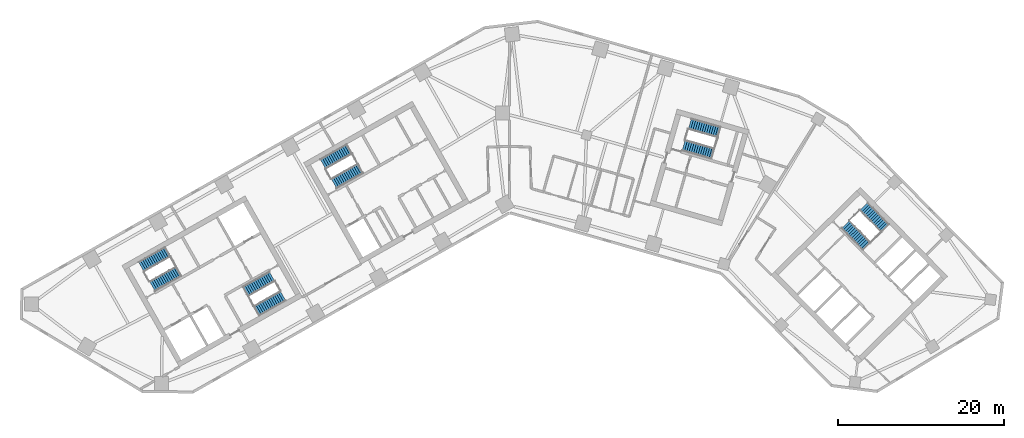
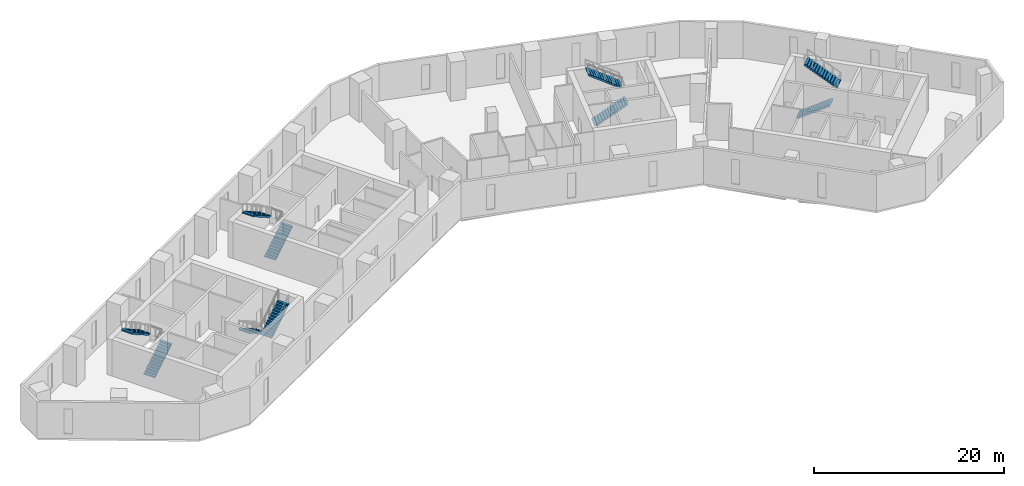
# One storey, part 8 of 10: 10 stair flights, 5 elements without a shape of their own.
"""IFC4 building model written with IfcOpenShell, lengths in metres."""

from ifc_helpers import new_model, si_unit, direction, frame, origin, place, context, subcontext, project, spatial, polyline, outline, extrude, material, type_object, element, aggregate, save


model = new_model("IFC4")

# Units and contexts
model_context = context("Model", 3, precision=1e-05, world=origin(), true_north=direction((0.0, 1.0)))
body_context = subcontext(model_context, "Body", "Model", "MODEL_VIEW")
ifc_project = project(units=[si_unit("LENGTHUNIT", "METRE"), si_unit("AREAUNIT", "SQUARE_METRE"), si_unit("VOLUMEUNIT", "CUBIC_METRE"), si_unit("PLANEANGLEUNIT", "RADIAN"), si_unit("MASSUNIT", "GRAM", prefix="KILO")], contexts=[model_context])

# Site, building, storey
site_placement = place(None, origin())
site = spatial("IfcSite", under=ifc_project, at=site_placement, CompositionType="ELEMENT")
building_placement = place(site_placement, origin())
building = spatial("IfcBuilding", under=site, at=building_placement, Name="Binnacle Exchange Tower", CompositionType="ELEMENT")
storey_placement = place(building_placement, frame((0.0, 0.0, 31.5)))
storey = spatial("IfcBuildingStorey", under=building, at=storey_placement, Name="L06", CompositionType="ELEMENT", Elevation=31.5)

# Stair, stair flights
ifc_material = material(Name="Concrete C35/45", Category="concrete")
stair_type = type_object("IfcStairType", Name="STAIR 28 RISERS 179", PredefinedType="HALF_TURN_STAIR", material=ifc_material)
stair_1_placement = place(storey_placement, origin())
stair_1 = element("IfcStair", 1, at=stair_1_placement, inside=storey, type_object=stair_type, Name="L06 Escape stair A1", PredefinedType="HALF_TURN_STAIR")
stair_flight_type = type_object("IfcStairFlightType", Name="STAIR FLIGHT 179X280", PredefinedType="STRAIGHT", material=ifc_material)
stair_flight_1_placement = place(storey_placement, frame((-42.9541015625, 39.17333984375, 0.0), z_axis=(0.0, 0.0, 1.0), x_axis=(0.870355584213, 0.492423757581, 0.0)))
stair_flight_1 = element("IfcStairFlight", 2, at=stair_flight_1_placement, type_object=stair_flight_type, Name="STA1 flight 1", NumberOfRisers=14, NumberOfTreads=13, PredefinedType="STRAIGHT", RiserHeight=0.178571429, TreadLength=0.28, context=body_context, shape_type="SweptSolid", body=[
    extrude(outline(polyline([(0.0, 0.0), (0.0, 0.178466796875), (0.280029296875, 0.178466796875), (0.280029296875, 0.357177734375), (0.56005859375, 0.357177734375), (0.56005859375, 0.53564453125), (0.840087890625, 0.53564453125), (0.840087890625, 0.71435546875), (1.1201171875, 0.71435546875), (1.1201171875, 0.892822265625), (1.39990234375, 0.892822265625), (1.39990234375, 1.071533203125), (1.679931640625, 1.071533203125), (1.679931640625, 1.25), (1.9599609375, 1.25), (1.9599609375, 1.428466796875), (2.239990234375, 1.428466796875), (2.239990234375, 1.607177734375), (2.52001953125, 1.607177734375), (2.52001953125, 1.78564453125), (2.800048828125, 1.78564453125), (2.800048828125, 1.96435546875), (3.080078125, 1.96435546875), (3.080078125, 2.142822265625), (3.360107421875, 2.142822265625), (3.360107421875, 2.321533203125), (3.639892578125, 2.321533203125), (3.639892578125, 2.5), (3.639892578125, 2.1435546875), (0.27880859375, 0.0), (0.0, 0.0)])), frame((0.0, 0.675048828125, 0.0), z_axis=(0.0, -1.0, 0.0), x_axis=(1.0, 0.0, 0.0)), (0.0, 0.0, 1.0), 1.35009765625),
])
stair_flight_2_placement = place(storey_placement, frame((-41.115478515625, 43.315673828125, 2.5), z_axis=(0.0, 0.0, 1.0), x_axis=(-0.870355584213, -0.492423757581, 0.0)))
stair_flight_2 = element("IfcStairFlight", 3, at=stair_flight_2_placement, type_object=stair_flight_type, Name="STA1 flight 2", NumberOfRisers=14, NumberOfTreads=13, PredefinedType="STRAIGHT", RiserHeight=0.178571429, TreadLength=0.28, context=body_context, shape_type="SweptSolid", body=[
    extrude(outline(polyline([(0.0, 0.0), (0.0, 0.178466796875), (0.280029296875, 0.178466796875), (0.280029296875, 0.357177734375), (0.56005859375, 0.357177734375), (0.56005859375, 0.53564453125), (0.840087890625, 0.53564453125), (0.840087890625, 0.71435546875), (1.1201171875, 0.71435546875), (1.1201171875, 0.892822265625), (1.39990234375, 0.892822265625), (1.39990234375, 1.071533203125), (1.679931640625, 1.071533203125), (1.679931640625, 1.25), (1.9599609375, 1.25), (1.9599609375, 1.428466796875), (2.239990234375, 1.428466796875), (2.239990234375, 1.607177734375), (2.52001953125, 1.607177734375), (2.52001953125, 1.78564453125), (2.800048828125, 1.78564453125), (2.800048828125, 1.96435546875), (3.080078125, 1.96435546875), (3.080078125, 2.142822265625), (3.360107421875, 2.142822265625), (3.360107421875, 2.321533203125), (3.639892578125, 2.321533203125), (3.639892578125, 2.5), (3.639892578125, 2.1435546875), (0.27880859375, 0.0), (0.0, 0.0)])), frame((0.0, 0.675048828125, 0.0), z_axis=(0.0, -1.0, 0.0), x_axis=(1.0, 0.0, 0.0)), (0.0, 0.0, 1.0), 1.35009765625),
])
aggregate(stair_1, [stair_flight_1, stair_flight_2])

stair_2_placement = place(storey_placement, origin())
stair_2 = element("IfcStair", 4, at=stair_2_placement, inside=storey, type_object=stair_type, Name="L06 Escape stair A2", PredefinedType="HALF_TURN_STAIR")
stair_flight_3_placement = place(storey_placement, frame((-28.5732421875, 40.3583984375, 0.0), z_axis=(0.0, 0.0, 1.0), x_axis=(-0.870355584213, -0.492423757581, 0.0)))
stair_flight_3 = element("IfcStairFlight", 5, at=stair_flight_3_placement, type_object=stair_flight_type, Name="STA2 flight 1", NumberOfRisers=14, NumberOfTreads=13, PredefinedType="STRAIGHT", RiserHeight=0.178571429, TreadLength=0.28, context=body_context, shape_type="SweptSolid", body=[
    extrude(outline(polyline([(0.0, 0.0), (0.0, 0.178466796875), (0.280029296875, 0.178466796875), (0.280029296875, 0.357177734375), (0.56005859375, 0.357177734375), (0.56005859375, 0.53564453125), (0.840087890625, 0.53564453125), (0.840087890625, 0.71435546875), (1.1201171875, 0.71435546875), (1.1201171875, 0.892822265625), (1.39990234375, 0.892822265625), (1.39990234375, 1.071533203125), (1.679931640625, 1.071533203125), (1.679931640625, 1.25), (1.9599609375, 1.25), (1.9599609375, 1.428466796875), (2.239990234375, 1.428466796875), (2.239990234375, 1.607177734375), (2.52001953125, 1.607177734375), (2.52001953125, 1.78564453125), (2.800048828125, 1.78564453125), (2.800048828125, 1.96435546875), (3.080078125, 1.96435546875), (3.080078125, 2.142822265625), (3.360107421875, 2.142822265625), (3.360107421875, 2.321533203125), (3.639892578125, 2.321533203125), (3.639892578125, 2.5), (3.639892578125, 2.1435546875), (0.27880859375, 0.0), (0.0, 0.0)])), frame((0.0, 0.675048828125, 0.0), z_axis=(0.0, -1.0, 0.0), x_axis=(1.0, 0.0, 0.0)), (0.0, 0.0, 1.0), 1.35009765625),
])
stair_flight_4_placement = place(storey_placement, frame((-30.411865234375, 36.216064453125, 2.5), z_axis=(0.0, 0.0, 1.0), x_axis=(0.870355584213, 0.492423757581, 0.0)))
stair_flight_4 = element("IfcStairFlight", 6, at=stair_flight_4_placement, type_object=stair_flight_type, Name="STA2 flight 2", NumberOfRisers=14, NumberOfTreads=13, PredefinedType="STRAIGHT", RiserHeight=0.178571429, TreadLength=0.28, context=body_context, shape_type="SweptSolid", body=[
    extrude(outline(polyline([(0.0, 0.0), (0.0, 0.178466796875), (0.280029296875, 0.178466796875), (0.280029296875, 0.357177734375), (0.56005859375, 0.357177734375), (0.56005859375, 0.53564453125), (0.840087890625, 0.53564453125), (0.840087890625, 0.71435546875), (1.1201171875, 0.71435546875), (1.1201171875, 0.892822265625), (1.39990234375, 0.892822265625), (1.39990234375, 1.071533203125), (1.679931640625, 1.071533203125), (1.679931640625, 1.25), (1.9599609375, 1.25), (1.9599609375, 1.428466796875), (2.239990234375, 1.428466796875), (2.239990234375, 1.607177734375), (2.52001953125, 1.607177734375), (2.52001953125, 1.78564453125), (2.800048828125, 1.78564453125), (2.800048828125, 1.96435546875), (3.080078125, 1.96435546875), (3.080078125, 2.142822265625), (3.360107421875, 2.142822265625), (3.360107421875, 2.321533203125), (3.639892578125, 2.321533203125), (3.639892578125, 2.5), (3.639892578125, 2.1435546875), (0.27880859375, 0.0), (0.0, 0.0)])), frame((0.0, 0.675048828125, 0.0), z_axis=(0.0, -1.0, 0.0), x_axis=(1.0, 0.0, 0.0)), (0.0, 0.0, 1.0), 1.35009765625),
])
aggregate(stair_2, [stair_flight_3, stair_flight_4])

stair_3_placement = place(storey_placement, origin())
stair_3 = element("IfcStair", 7, at=stair_3_placement, inside=storey, type_object=stair_type, Name="L06 Escape stair B1", PredefinedType="HALF_TURN_STAIR")
stair_flight_5_placement = place(storey_placement, frame((40.376708984375, 46.608642578125, 0.0), z_axis=(0.0, 0.0, 1.0), x_axis=(0.70090935144, -0.713250363522, 0.0)))
stair_flight_5 = element("IfcStairFlight", 8, at=stair_flight_5_placement, type_object=stair_flight_type, Name="STB1 flight 1", NumberOfRisers=14, NumberOfTreads=13, PredefinedType="STRAIGHT", RiserHeight=0.178571429, TreadLength=0.28, context=body_context, shape_type="SweptSolid", body=[
    extrude(outline(polyline([(0.0, 0.0), (0.0, 0.178466796875), (0.280029296875, 0.178466796875), (0.280029296875, 0.357177734375), (0.56005859375, 0.357177734375), (0.56005859375, 0.53564453125), (0.840087890625, 0.53564453125), (0.840087890625, 0.71435546875), (1.1201171875, 0.71435546875), (1.1201171875, 0.892822265625), (1.39990234375, 0.892822265625), (1.39990234375, 1.071533203125), (1.679931640625, 1.071533203125), (1.679931640625, 1.25), (1.9599609375, 1.25), (1.9599609375, 1.428466796875), (2.239990234375, 1.428466796875), (2.239990234375, 1.607177734375), (2.52001953125, 1.607177734375), (2.52001953125, 1.78564453125), (2.800048828125, 1.78564453125), (2.800048828125, 1.96435546875), (3.080078125, 1.96435546875), (3.080078125, 2.142822265625), (3.360107421875, 2.142822265625), (3.360107421875, 2.321533203125), (3.639892578125, 2.321533203125), (3.639892578125, 2.5), (3.639892578125, 2.1435546875), (0.27880859375, 0.0), (0.0, 0.0)])), frame((0.0, 0.675048828125, 0.0), z_axis=(0.0, -1.0, 0.0), x_axis=(1.0, 0.0, 0.0)), (0.0, 0.0, 1.0), 1.35009765625),
])
stair_flight_6_placement = place(storey_placement, frame((45.13916015625, 46.185302734375, 2.5), z_axis=(0.0, 0.0, 1.0), x_axis=(-0.70090935144, 0.713250363522, 0.0)))
stair_flight_6 = element("IfcStairFlight", 9, at=stair_flight_6_placement, type_object=stair_flight_type, Name="STB1 flight 2", NumberOfRisers=14, NumberOfTreads=13, PredefinedType="STRAIGHT", RiserHeight=0.178571429, TreadLength=0.28, context=body_context, shape_type="SweptSolid", body=[
    extrude(outline(polyline([(0.0, 0.0), (0.0, 0.178466796875), (0.280029296875, 0.178466796875), (0.280029296875, 0.357177734375), (0.56005859375, 0.357177734375), (0.56005859375, 0.53564453125), (0.840087890625, 0.53564453125), (0.840087890625, 0.71435546875), (1.1201171875, 0.71435546875), (1.1201171875, 0.892822265625), (1.39990234375, 0.892822265625), (1.39990234375, 1.071533203125), (1.679931640625, 1.071533203125), (1.679931640625, 1.25), (1.9599609375, 1.25), (1.9599609375, 1.428466796875), (2.239990234375, 1.428466796875), (2.239990234375, 1.607177734375), (2.52001953125, 1.607177734375), (2.52001953125, 1.78564453125), (2.800048828125, 1.78564453125), (2.800048828125, 1.96435546875), (3.080078125, 1.96435546875), (3.080078125, 2.142822265625), (3.360107421875, 2.142822265625), (3.360107421875, 2.321533203125), (3.639892578125, 2.321533203125), (3.639892578125, 2.5), (3.639892578125, 2.1435546875), (0.27880859375, 0.0), (0.0, 0.0)])), frame((0.0, 0.675048828125, 0.0), z_axis=(0.0, -1.0, 0.0), x_axis=(1.0, 0.0, 0.0)), (0.0, 0.0, 1.0), 1.35009765625),
])
aggregate(stair_3, [stair_flight_5, stair_flight_6])

stair_4_placement = place(storey_placement, origin())
stair_4 = element("IfcStair", 10, at=stair_4_placement, inside=storey, type_object=stair_type, Name="L06 Escape stair C1", PredefinedType="HALF_TURN_STAIR")
stair_flight_7_placement = place(storey_placement, frame((-21.115966796875, 51.528564453125, 0.0), z_axis=(0.0, 0.0, 1.0), x_axis=(0.870355584213, 0.492423757581, 0.0)))
stair_flight_7 = element("IfcStairFlight", 11, at=stair_flight_7_placement, type_object=stair_flight_type, Name="STC1 flight 1", NumberOfRisers=14, NumberOfTreads=13, PredefinedType="STRAIGHT", RiserHeight=0.178571429, TreadLength=0.28, context=body_context, shape_type="SweptSolid", body=[
    extrude(outline(polyline([(0.0, 0.0), (0.0, 0.178466796875), (0.280029296875, 0.178466796875), (0.280029296875, 0.357177734375), (0.56005859375, 0.357177734375), (0.56005859375, 0.53564453125), (0.840087890625, 0.53564453125), (0.840087890625, 0.71435546875), (1.1201171875, 0.71435546875), (1.1201171875, 0.892822265625), (1.39990234375, 0.892822265625), (1.39990234375, 1.071533203125), (1.679931640625, 1.071533203125), (1.679931640625, 1.25), (1.9599609375, 1.25), (1.9599609375, 1.428466796875), (2.239990234375, 1.428466796875), (2.239990234375, 1.607177734375), (2.52001953125, 1.607177734375), (2.52001953125, 1.78564453125), (2.800048828125, 1.78564453125), (2.800048828125, 1.96435546875), (3.080078125, 1.96435546875), (3.080078125, 2.142822265625), (3.360107421875, 2.142822265625), (3.360107421875, 2.321533203125), (3.639892578125, 2.321533203125), (3.639892578125, 2.5), (3.639892578125, 2.1435546875), (0.27880859375, 0.0), (0.0, 0.0)])), frame((0.0, 0.675048828125, 0.0), z_axis=(0.0, -1.0, 0.0), x_axis=(1.0, 0.0, 0.0)), (0.0, 0.0, 1.0), 1.35009765625),
])
stair_flight_8_placement = place(storey_placement, frame((-19.27734375, 55.671142578125, 2.5), z_axis=(0.0, 0.0, 1.0), x_axis=(-0.870355584213, -0.492423757581, 0.0)))
stair_flight_8 = element("IfcStairFlight", 12, at=stair_flight_8_placement, type_object=stair_flight_type, Name="STC1 flight 2", NumberOfRisers=14, NumberOfTreads=13, PredefinedType="STRAIGHT", RiserHeight=0.178571429, TreadLength=0.28, context=body_context, shape_type="SweptSolid", body=[
    extrude(outline(polyline([(0.0, 0.0), (0.0, 0.178466796875), (0.280029296875, 0.178466796875), (0.280029296875, 0.357177734375), (0.56005859375, 0.357177734375), (0.56005859375, 0.53564453125), (0.840087890625, 0.53564453125), (0.840087890625, 0.71435546875), (1.1201171875, 0.71435546875), (1.1201171875, 0.892822265625), (1.39990234375, 0.892822265625), (1.39990234375, 1.071533203125), (1.679931640625, 1.071533203125), (1.679931640625, 1.25), (1.9599609375, 1.25), (1.9599609375, 1.428466796875), (2.239990234375, 1.428466796875), (2.239990234375, 1.607177734375), (2.52001953125, 1.607177734375), (2.52001953125, 1.78564453125), (2.800048828125, 1.78564453125), (2.800048828125, 1.96435546875), (3.080078125, 1.96435546875), (3.080078125, 2.142822265625), (3.360107421875, 2.142822265625), (3.360107421875, 2.321533203125), (3.639892578125, 2.321533203125), (3.639892578125, 2.5), (3.639892578125, 2.1435546875), (0.27880859375, 0.0), (0.0, 0.0)])), frame((0.0, 0.675048828125, 0.0), z_axis=(0.0, -1.0, 0.0), x_axis=(1.0, 0.0, 0.0)), (0.0, 0.0, 1.0), 1.35009765625),
])
aggregate(stair_4, [stair_flight_7, stair_flight_8])

stair_5_placement = place(storey_placement, origin())
stair_5 = element("IfcStair", 13, at=stair_5_placement, inside=storey, type_object=stair_type, Name="L06 Escape stair D1", PredefinedType="HALF_TURN_STAIR")
stair_flight_9_placement = place(storey_placement, frame((20.914306640625, 56.109619140625, 0.0), z_axis=(0.0, 0.0, 1.0), x_axis=(0.961261811397, -0.275636953165, 0.0)))
stair_flight_9 = element("IfcStairFlight", 14, at=stair_flight_9_placement, type_object=stair_flight_type, Name="STD1 flight 1", NumberOfRisers=14, NumberOfTreads=13, PredefinedType="STRAIGHT", RiserHeight=0.178571429, TreadLength=0.28, context=body_context, shape_type="SweptSolid", body=[
    extrude(outline(polyline([(0.0, 0.0), (0.0, 0.178466796875), (0.280029296875, 0.178466796875), (0.280029296875, 0.357177734375), (0.56005859375, 0.357177734375), (0.56005859375, 0.53564453125), (0.840087890625, 0.53564453125), (0.840087890625, 0.71435546875), (1.1201171875, 0.71435546875), (1.1201171875, 0.892822265625), (1.39990234375, 0.892822265625), (1.39990234375, 1.071533203125), (1.679931640625, 1.071533203125), (1.679931640625, 1.25), (1.9599609375, 1.25), (1.9599609375, 1.428466796875), (2.239990234375, 1.428466796875), (2.239990234375, 1.607177734375), (2.52001953125, 1.607177734375), (2.52001953125, 1.78564453125), (2.800048828125, 1.78564453125), (2.800048828125, 1.96435546875), (3.080078125, 1.96435546875), (3.080078125, 2.142822265625), (3.360107421875, 2.142822265625), (3.360107421875, 2.321533203125), (3.639892578125, 2.321533203125), (3.639892578125, 2.5), (3.639892578125, 2.1435546875), (0.27880859375, 0.0), (0.0, 0.0)])), frame((0.0, 0.675048828125, 0.0), z_axis=(0.0, -1.0, 0.0), x_axis=(1.0, 0.0, 0.0)), (0.0, 0.0, 1.0), 1.35009765625),
])
stair_flight_10_placement = place(storey_placement, frame((25.157470703125, 57.70166015625, 2.5), z_axis=(0.0, 0.0, 1.0), x_axis=(-0.961261811397, 0.275636953165, 0.0)))
stair_flight_10 = element("IfcStairFlight", 15, at=stair_flight_10_placement, type_object=stair_flight_type, Name="STD1 flight 2", NumberOfRisers=14, NumberOfTreads=13, PredefinedType="STRAIGHT", RiserHeight=0.178571429, TreadLength=0.28, context=body_context, shape_type="SweptSolid", body=[
    extrude(outline(polyline([(0.0, 0.0), (0.0, 0.178466796875), (0.280029296875, 0.178466796875), (0.280029296875, 0.357177734375), (0.56005859375, 0.357177734375), (0.56005859375, 0.53564453125), (0.840087890625, 0.53564453125), (0.840087890625, 0.71435546875), (1.1201171875, 0.71435546875), (1.1201171875, 0.892822265625), (1.39990234375, 0.892822265625), (1.39990234375, 1.071533203125), (1.679931640625, 1.071533203125), (1.679931640625, 1.25), (1.9599609375, 1.25), (1.9599609375, 1.428466796875), (2.239990234375, 1.428466796875), (2.239990234375, 1.607177734375), (2.52001953125, 1.607177734375), (2.52001953125, 1.78564453125), (2.800048828125, 1.78564453125), (2.800048828125, 1.96435546875), (3.080078125, 1.96435546875), (3.080078125, 2.142822265625), (3.360107421875, 2.142822265625), (3.360107421875, 2.321533203125), (3.639892578125, 2.321533203125), (3.639892578125, 2.5), (3.639892578125, 2.1435546875), (0.27880859375, 0.0), (0.0, 0.0)])), frame((0.0, 0.675048828125, 0.0), z_axis=(0.0, -1.0, 0.0), x_axis=(1.0, 0.0, 0.0)), (0.0, 0.0, 1.0), 1.35009765625),
])
aggregate(stair_5, [stair_flight_9, stair_flight_10])

save(model, "model.ifc")
